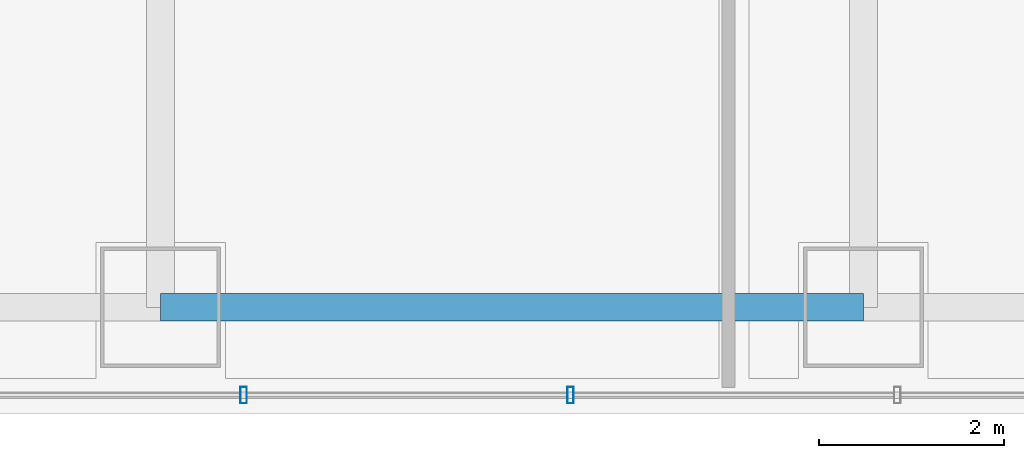
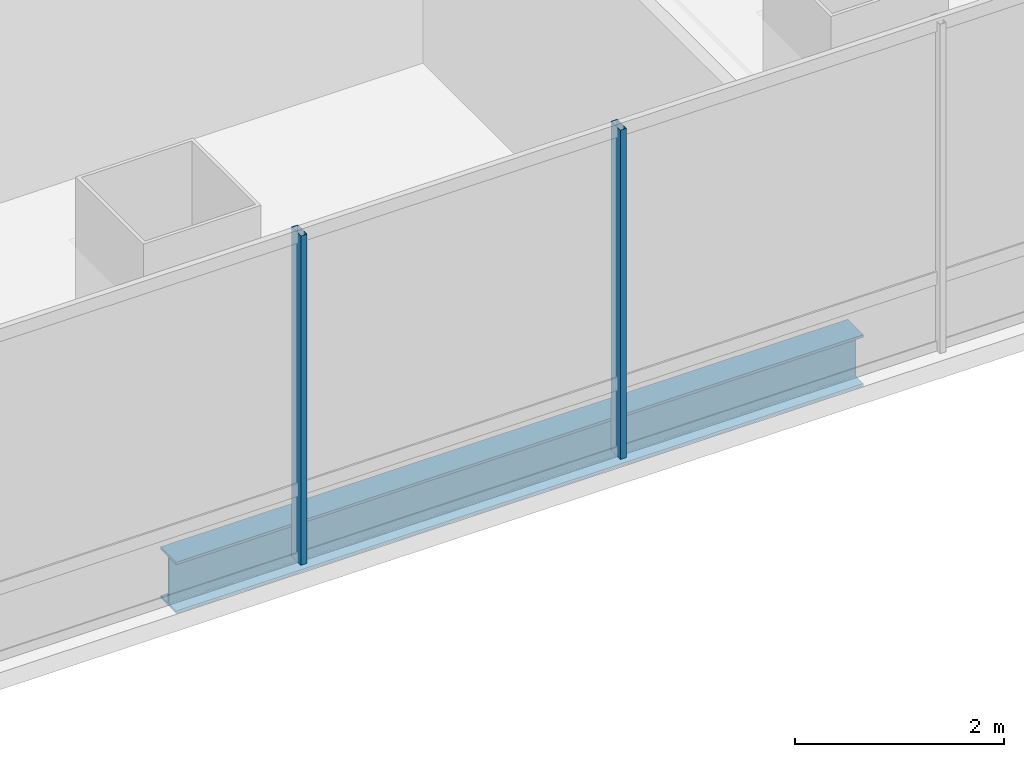
# One storey, part 6 of 39: 2 members, 1 beam, 1 element without a shape of its own.
"""IFC4 building model written with IfcOpenShell, lengths in metres."""

from ifc_helpers import new_model, si_unit, direction, frame, origin, origin_2d, place, context, subcontext, project, spatial, hollow_rectangle, i_section, extrude, material, material_profile, profile_set, type_object, element, aggregate, save


model = new_model("IFC4")

# Units and contexts
model_context = context("Model", 3, precision=1e-05, world=origin(), true_north=direction((0.0, 1.0)))
body_context = subcontext(model_context, "Body", "Model", "MODEL_VIEW")
ifc_project = project(units=[si_unit("LENGTHUNIT", "METRE"), si_unit("AREAUNIT", "SQUARE_METRE"), si_unit("VOLUMEUNIT", "CUBIC_METRE"), si_unit("PLANEANGLEUNIT", "RADIAN"), si_unit("MASSUNIT", "GRAM", prefix="KILO")], contexts=[model_context])

# Site, building, storey
site_placement = place(None, origin())
site = spatial("IfcSite", under=ifc_project, at=site_placement, CompositionType="ELEMENT")
building_placement = place(site_placement, origin())
building = spatial("IfcBuilding", under=site, at=building_placement, Name="Punatoya Terracotta Tower", CompositionType="ELEMENT")
storey_placement = place(building_placement, frame((0.0, 0.0, 275.699951171875)))
storey = spatial("IfcBuildingStorey", under=building, at=storey_placement, Name="L65", CompositionType="ELEMENT", Elevation=275.699951171875)

# Beam
ifc_material_1 = material(Name="Steel S355", Category="steel")
ifc_material_profile_1 = material_profile(ifc_material_1, i_section(OverallWidth=0.300048828125, OverallDepth=0.60009765625, WebThickness=0.015380859375, FlangeThickness=0.030029296875, FilletRadius=0.01806640625, at=origin_2d()))
ifc_profile_set_1 = profile_set([ifc_material_profile_1], Name="Steel S355")
beam_type = type_object("IfcBeamType", Name="BM-PRI-600", PredefinedType="BEAM", material=ifc_profile_set_1)
beam_placement = place(storey_placement, frame((-3.800048828125, -17.5, -0.5), z_axis=(1.0, 0.0, 0.0), x_axis=(0.0, 1.0, 0.0)))
element("IfcBeam", 1, at=beam_placement, inside=storey, type_object=beam_type, Name="BM-L65-RG-S2", PredefinedType="BEAM", context=body_context, shape_type="SweptSolid", body=[
    extrude(i_section(OverallWidth=0.300048828125, OverallDepth=0.60009765625, WebThickness=0.015380859375, FlangeThickness=0.030029296875, FilletRadius=0.01806640625, at=origin_2d()), origin(), (0.0, 0.0, 1.0), 7.60009765625),
])

# Curtain wall, members
ifc_material_2 = material(Name="Aluminium 6063-T6 + Double Low-E Glass", Category="aluminium")
curtain_wall_type = type_object("IfcCurtainWallType", Name="CW-M3", PredefinedType="NOTDEFINED", material=ifc_material_2)
curtain_wall_placement = place(storey_placement, origin())
curtain_wall = element("IfcCurtainWall", 2, at=curtain_wall_placement, inside=storey, type_object=curtain_wall_type, Name="L65 Curtain Wall CW-L65-S01-1", PredefinedType="NOTDEFINED")
ifc_material_3 = material(Name="Aluminium 6063-T6", Category="aluminium")
ifc_material_profile_2 = material_profile(ifc_material_3, hollow_rectangle(XDim=0.070068359375, YDim=0.179931640625, WallThickness=0.00390625, at=origin_2d()))
ifc_profile_set_2 = profile_set([ifc_material_profile_2], Name="Aluminium 6063-T6")
member_type = type_object("IfcMemberType", Name="CW-MUL-M3", PredefinedType="MULLION", material=ifc_profile_set_2)
member_1_placement = place(storey_placement, frame((-2.90087890625, -18.449951171875, 0.0), z_axis=(0.0, 0.0, 1.0), x_axis=(1.0, 0.0, 0.0)))
member_1 = element("IfcMember", 3, at=member_1_placement, type_object=member_type, Name="CW-L65-S01-1 Mullion 04", PredefinedType="MULLION", context=body_context, shape_type="SweptSolid", body=[
    extrude(hollow_rectangle(XDim=0.070068359375, YDim=0.179931640625, WallThickness=0.00390625, at=origin_2d()), origin(), (0.0, 0.0, 1.0), 3.85009765625),
])
member_2_placement = place(storey_placement, frame((0.633056640625, -18.449951171875, 0.0), z_axis=(0.0, 0.0, 1.0), x_axis=(1.0, 0.0, 0.0)))
member_2 = element("IfcMember", 4, at=member_2_placement, type_object=member_type, Name="CW-L65-S01-1 Mullion 05", PredefinedType="MULLION", context=body_context, shape_type="SweptSolid", body=[
    extrude(hollow_rectangle(XDim=0.070068359375, YDim=0.179931640625, WallThickness=0.00390625, at=origin_2d()), origin(), (0.0, 0.0, 1.0), 3.85009765625),
])
aggregate(curtain_wall, [member_1, member_2])

save(model, "model.ifc")
